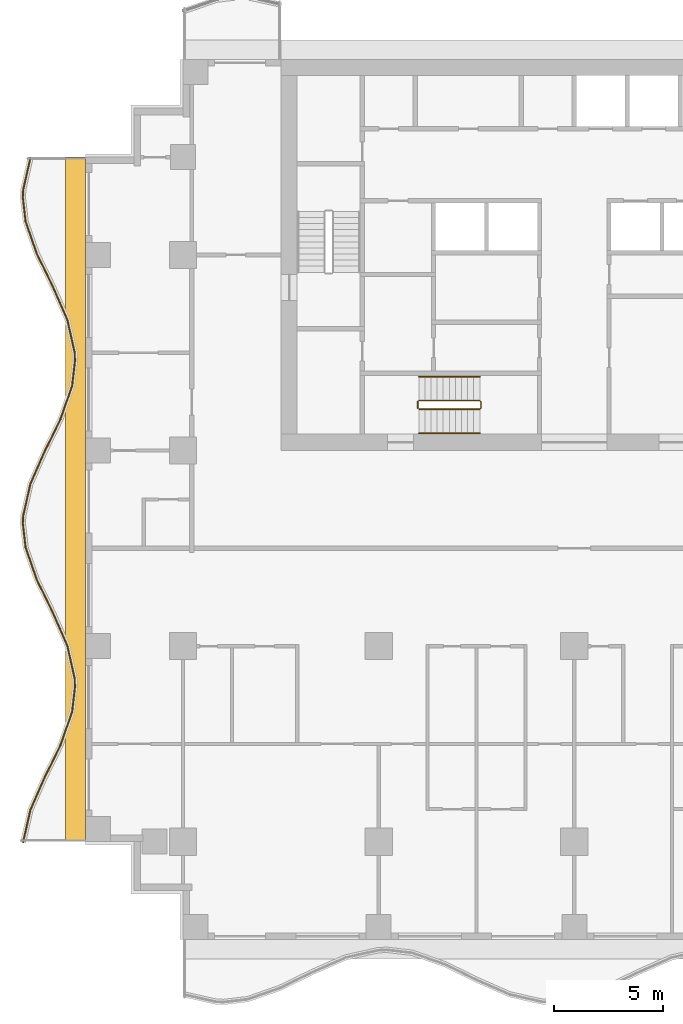
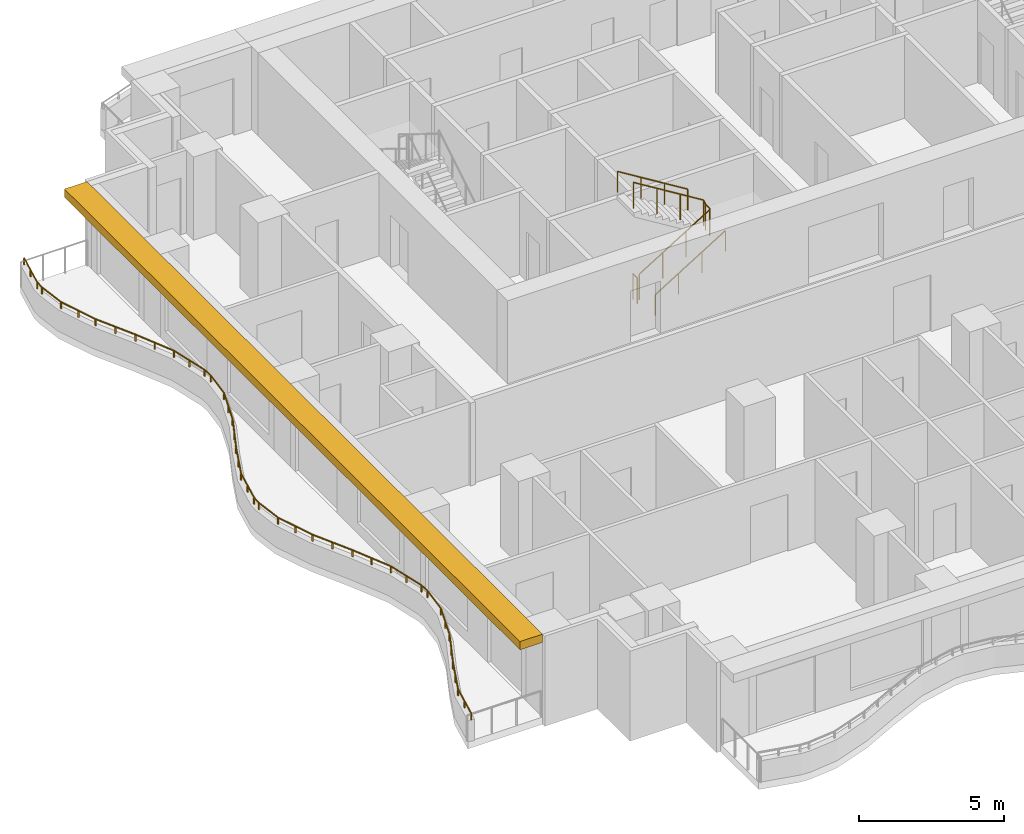
# One storey, part 8 of 10: 5 railings, 1 shading device.
"""IFC4 building model written with IfcOpenShell, lengths in metres."""

from ifc_helpers import new_model, si_unit, direction, frame, origin, origin_2d, place, context, subcontext, project, spatial, polyline, rectangle, circle, outline, extrude, material, layer, layer_set, type_object, element, save


model = new_model("IFC4")

# Units and contexts
model_context = context("Model", 3, precision=1e-05, world=origin(), true_north=direction((0.0, 1.0)))
body_context = subcontext(model_context, "Body", "Model", "MODEL_VIEW")
ifc_project = project(units=[si_unit("LENGTHUNIT", "METRE"), si_unit("AREAUNIT", "SQUARE_METRE"), si_unit("VOLUMEUNIT", "CUBIC_METRE"), si_unit("PLANEANGLEUNIT", "RADIAN"), si_unit("MASSUNIT", "GRAM", prefix="KILO")], contexts=[model_context])

# Site, building, storey
site_placement = place(None, origin())
site = spatial("IfcSite", under=ifc_project, at=site_placement, CompositionType="ELEMENT")
building_placement = place(site_placement, origin())
building = spatial("IfcBuilding", under=site, at=building_placement, Name="Orbiselva Terraces", CompositionType="ELEMENT")
storey_placement = place(building_placement, frame((0.0, 0.0, 147.8)))
storey = spatial("IfcBuildingStorey", under=building, at=storey_placement, Name="L37", CompositionType="ELEMENT", Elevation=147.8)

# Railings
ifc_material_1 = material(Name="Stainless steel", Category="steel")
railing_type_1 = type_object("IfcRailingType", Name="CORE-GUARD-1100", PredefinedType="GUARDRAIL", material=ifc_material_1)
railing_1_placement = place(storey_placement, frame((-7.15, 6.4, 0.172727)))
element("IfcRailing", 1, at=railing_1_placement, inside=storey, type_object=railing_type_1, Name="L37 S3 stair guard 1", PredefinedType="GUARDRAIL", context=body_context, shape_type="SweptSolid", body=[
    extrude(circle(Radius=0.024, at=origin_2d()), frame((0.0, 0.0, 1.081), z_axis=(0.851088519012, 0.0, 0.52502222125), x_axis=(0.0, 1.0, 0.0)), (0.0, 0.0, 1.0), 3.289905),
    extrude(circle(Radius=0.024, at=origin_2d()), frame((2.8, 0.0, 2.808273), z_axis=(0.707106781187, 0.707106781187, 0.0), x_axis=(-0.707106781187, 0.707106781187, 0.0)), (0.0, 0.0, 1.0), 0.070711),
    extrude(circle(Radius=0.024, at=origin_2d()), frame((2.85, 0.05, 2.808273), z_axis=(0.0, 1.0, 0.0), x_axis=(-1.0, 0.0, 0.0)), (0.0, 0.0, 1.0), 0.3),
    extrude(circle(Radius=0.024, at=origin_2d()), frame((2.85, 0.35, 2.808273), z_axis=(-0.267894925557, 0.267894925557, 0.925453736133), x_axis=(-0.707106781187, -0.707106781187, 0.0)), (0.0, 0.0, 1.0), 0.18664),
    extrude(circle(Radius=0.024, at=origin_2d()), frame((2.8, 0.4, 2.981), z_axis=(-0.851088519012, 0.0, 0.52502222125), x_axis=(0.0, -1.0, 0.0)), (0.0, 0.0, 1.0), 3.289905),
    extrude(circle(Radius=0.021, at=origin_2d()), origin(), (0.0, 0.0, 1.0), 1.057),
    extrude(circle(Radius=0.021, at=origin_2d()), frame((0.933333, 0.0, 0.575758)), (0.0, 0.0, 1.0), 1.057),
    extrude(circle(Radius=0.021, at=origin_2d()), frame((1.866667, 0.0, 1.151515)), (0.0, 0.0, 1.0), 1.057),
    extrude(circle(Radius=0.021, at=origin_2d()), frame((2.8, 0.0, 1.727273)), (0.0, 0.0, 1.0), 1.057),
    extrude(circle(Radius=0.021, at=origin_2d()), frame((2.85, 0.05, 1.727273)), (0.0, 0.0, 1.0), 1.057),
    extrude(circle(Radius=0.021, at=origin_2d()), frame((2.85, 0.35, 1.727273)), (0.0, 0.0, 1.0), 1.057),
    extrude(circle(Radius=0.021, at=origin_2d()), frame((2.8, 0.4, 1.9)), (0.0, 0.0, 1.0), 1.057),
    extrude(circle(Radius=0.021, at=origin_2d()), frame((1.866667, 0.4, 2.475758)), (0.0, 0.0, 1.0), 1.057),
    extrude(circle(Radius=0.021, at=origin_2d()), frame((0.933333, 0.4, 3.051515)), (0.0, 0.0, 1.0), 1.057),
    extrude(circle(Radius=0.021, at=origin_2d()), frame((0.0, 0.4, 3.627273)), (0.0, 0.0, 1.0), 1.057),
])
railing_2_placement = place(storey_placement, frame((-7.2, 6.45, 0.0)))
element("IfcRailing", 2, at=railing_2_placement, inside=storey, type_object=railing_type_1, Name="L37 S3 stair guard 2", PredefinedType="GUARDRAIL", context=body_context, shape_type="SweptSolid", body=[
    extrude(circle(Radius=0.024, at=origin_2d()), frame((0.0, 0.0, 1.081), z_axis=(0.0, 1.0, 0.0), x_axis=(-1.0, 0.0, 0.0)), (0.0, 0.0, 1.0), 0.3),
    extrude(circle(Radius=0.021, at=origin_2d()), origin(), (0.0, 0.0, 1.0), 1.057),
    extrude(circle(Radius=0.021, at=origin_2d()), frame((0.0, 0.3, 0.0)), (0.0, 0.0, 1.0), 1.057),
])
railing_type_2 = type_object("IfcRailingType", Name="CORE-HANDRAIL-900", PredefinedType="HANDRAIL", material=ifc_material_1)
railing_3_placement = place(storey_placement, frame((-7.15, 5.3, 0.172727)))
element("IfcRailing", 3, at=railing_3_placement, inside=storey, type_object=railing_type_2, Name="L37 S3 stair handrail 1", PredefinedType="HANDRAIL", context=body_context, shape_type="SweptSolid", body=[
    extrude(circle(Radius=0.024, at=origin_2d()), frame((0.0, 0.0, 0.876), z_axis=(0.851088519012, 0.0, 0.52502222125), x_axis=(0.0, 1.0, 0.0)), (0.0, 0.0, 1.0), 3.289905),
    extrude(circle(Radius=0.021, at=origin_2d()), origin(), (0.0, 0.0, 1.0), 0.852),
    extrude(circle(Radius=0.021, at=origin_2d()), frame((0.933333, 0.0, 0.575758)), (0.0, 0.0, 1.0), 0.852),
    extrude(circle(Radius=0.021, at=origin_2d()), frame((1.866667, 0.0, 1.151515)), (0.0, 0.0, 1.0), 0.852),
    extrude(circle(Radius=0.021, at=origin_2d()), frame((2.8, 0.0, 1.727273)), (0.0, 0.0, 1.0), 0.852),
])
railing_4_placement = place(storey_placement, frame((-4.35, 7.9, 2.072727)))
element("IfcRailing", 4, at=railing_4_placement, inside=storey, type_object=railing_type_2, Name="L37 S3 stair handrail 2", PredefinedType="HANDRAIL", context=body_context, shape_type="SweptSolid", body=[
    extrude(circle(Radius=0.024, at=origin_2d()), frame((0.0, 0.0, 0.876), z_axis=(-0.851088519012, 0.0, 0.52502222125), x_axis=(0.0, -1.0, 0.0)), (0.0, 0.0, 1.0), 3.289905),
    extrude(circle(Radius=0.021, at=origin_2d()), origin(), (0.0, 0.0, 1.0), 0.852),
    extrude(circle(Radius=0.021, at=origin_2d()), frame((-0.933333, 0.0, 0.575758)), (0.0, 0.0, 1.0), 0.852),
    extrude(circle(Radius=0.021, at=origin_2d()), frame((-1.866667, 0.0, 1.151515)), (0.0, 0.0, 1.0), 0.852),
    extrude(circle(Radius=0.021, at=origin_2d()), frame((-2.8, 0.0, 1.727273)), (0.0, 0.0, 1.0), 0.852),
])
ifc_material_2 = material(Name="Bonded two-ply safety glass balustrade, stainless steel posts", Category="steel")
railing_type_3 = type_object("IfcRailingType", Name="ENV-BALUSTRADE-1200", PredefinedType="BALUSTRADE", material=ifc_material_2)
railing_5_placement = place(storey_placement, frame((-25.026563, 17.972623, 0.9)))
element("IfcRailing", 5, at=railing_5_placement, inside=storey, type_object=railing_type_3, Name="Balcony balustrade L37 W", PredefinedType="BALUSTRADE", context=body_context, shape_type="SweptSolid", body=[
    extrude(outline(polyline([(0.028868, 0.0), (0.014434, 0.025), (-0.014434, 0.025), (-0.028868, 0.0), (-0.014434, -0.025), (0.014434, -0.025), (0.028868, 0.0)])), frame((0.0, 0.0, 0.275), z_axis=(-0.21901575501, -0.975721322437, 0.0), x_axis=(0.975721322437, -0.21901575501, 0.0)), (0.0, 0.0, 1.0), 1.525954),
    extrude(outline(polyline([(0.028868, 0.0), (0.014434, 0.025), (-0.014434, 0.025), (-0.028868, 0.0), (-0.014434, -0.025), (0.014434, -0.025), (0.028868, 0.0)])), frame((-0.334208, -1.488906, 0.275), z_axis=(-0.039364150694, -0.999224931454, 0.0), x_axis=(0.999224931454, -0.039364150694, 0.0)), (0.0, 0.0, 1.0), 0.354206),
    extrude(outline(polyline([(0.028868, 0.0), (0.014434, 0.025), (-0.014434, 0.025), (-0.028868, 0.0), (-0.014434, -0.025), (0.014434, -0.025), (0.028868, 0.0)])), frame((-0.348151, -1.842837, 0.275), z_axis=(0.115481264762, -0.993309658409, 0.0), x_axis=(0.993309658409, 0.115481264762, 0.0)), (0.0, 0.0, 1.0), 1.10902),
    extrude(outline(polyline([(0.028868, 0.0), (0.014434, 0.025), (-0.014434, 0.025), (-0.028868, 0.0), (-0.014434, -0.025), (0.014434, -0.025), (0.028868, 0.0)])), frame((-0.22008, -2.944437, 0.275), z_axis=(0.330024754707, -0.943972277814, 0.0), x_axis=(0.943972277814, 0.330024754707, 0.0)), (0.0, 0.0, 1.0), 1.567807),
    extrude(outline(polyline([(0.028868, 0.0), (0.014434, 0.025), (-0.014434, 0.025), (-0.028868, 0.0), (-0.014434, -0.025), (0.014434, -0.025), (0.028868, 0.0)])), frame((0.297335, -4.424403, 0.275), z_axis=(0.438811978768, -0.89857890432, 0.0), x_axis=(0.89857890432, 0.438811978768, 0.0)), (0.0, 0.0, 1.0), 1.66438),
    extrude(outline(polyline([(0.028868, 0.0), (0.014434, 0.025), (-0.014434, 0.025), (-0.028868, 0.0), (-0.014434, -0.025), (0.014434, -0.025), (0.028868, 0.0)])), frame((1.027685, -5.91998, 0.275), z_axis=(0.403150874148, -0.915133527237, 0.0), x_axis=(0.915133527237, 0.403150874148, 0.0)), (0.0, 0.0, 1.0), 1.653736),
    extrude(outline(polyline([(0.028868, 0.0), (0.014434, 0.025), (-0.014434, 0.025), (-0.028868, 0.0), (-0.014434, -0.025), (0.014434, -0.025), (0.028868, 0.0)])), frame((1.69439, -7.433369, 0.275), z_axis=(0.219015500924, -0.97572137947, 0.0), x_axis=(0.97572137947, 0.219015500924, 0.0)), (0.0, 0.0, 1.0), 1.560867),
    extrude(outline(polyline([(0.028868, 0.0), (0.014434, 0.025), (-0.014434, 0.025), (-0.028868, 0.0), (-0.014434, -0.025), (0.014434, -0.025), (0.028868, 0.0)])), frame((2.036244, -8.95634, 0.275), z_axis=(0.03936915532, -0.999224734286, 0.0), x_axis=(0.999224734286, 0.03936915532, 0.0)), (0.0, 0.0, 1.0), 0.396376),
    extrude(outline(polyline([(0.028868, 0.0), (0.014434, 0.025), (-0.014434, 0.025), (-0.028868, 0.0), (-0.014434, -0.025), (0.014434, -0.025), (0.028868, 0.0)])), frame((2.051849, -9.352409, 0.275), z_axis=(-0.115482182324, -0.993309551734, 0.0), x_axis=(0.993309551734, -0.115482182324, 0.0)), (0.0, 0.0, 1.0), 1.156135),
    extrude(outline(polyline([(0.028868, 0.0), (0.014434, 0.025), (-0.014434, 0.025), (-0.028868, 0.0), (-0.014434, -0.025), (0.014434, -0.025), (0.028868, 0.0)])), frame((1.918336, -10.500809, 0.275), z_axis=(-0.330024597479, -0.943972332783, 0.0), x_axis=(0.943972332783, -0.330024597479, 0.0)), (0.0, 0.0, 1.0), 1.610253),
    extrude(outline(polyline([(0.028868, 0.0), (0.014434, 0.025), (-0.014434, 0.025), (-0.028868, 0.0), (-0.014434, -0.025), (0.014434, -0.025), (0.028868, 0.0)])), frame((1.386913, -12.020843, 0.275), z_axis=(-0.438812048596, -0.898578870221, 0.0), x_axis=(0.898578870221, -0.438812048596, 0.0)), (0.0, 0.0, 1.0), 1.674225),
    extrude(outline(polyline([(0.028868, 0.0), (0.014434, 0.025), (-0.014434, 0.025), (-0.028868, 0.0), (-0.014434, -0.025), (0.014434, -0.025), (0.028868, 0.0)])), frame((0.652243, -13.525266, 0.275), z_axis=(-0.403151245402, -0.915133363686, 0.0), x_axis=(0.915133363686, -0.403151245402, 0.0)), (0.0, 0.0, 1.0), 1.624475),
    extrude(outline(polyline([(0.028868, 0.0), (0.014434, 0.025), (-0.014434, 0.025), (-0.028868, 0.0), (-0.014434, -0.025), (0.014434, -0.025), (0.028868, 0.0)])), frame((-0.002666, -15.011877, 0.275), z_axis=(-0.219015740235, -0.975721325753, 0.0), x_axis=(0.975721325753, -0.219015740235, 0.0)), (0.0, 0.0, 1.0), 1.513782),
    extrude(outline(polyline([(0.028868, 0.0), (0.014434, 0.025), (-0.014434, 0.025), (-0.028868, 0.0), (-0.014434, -0.025), (0.014434, -0.025), (0.028868, 0.0)])), frame((-0.334208, -16.488906, 0.275), z_axis=(-0.039364150694, -0.999224931454, 0.0), x_axis=(0.999224931454, -0.039364150694, 0.0)), (0.0, 0.0, 1.0), 0.354206),
    extrude(outline(polyline([(0.028868, 0.0), (0.014434, 0.025), (-0.014434, 0.025), (-0.028868, 0.0), (-0.014434, -0.025), (0.014434, -0.025), (0.028868, 0.0)])), frame((-0.348151, -16.842837, 0.275), z_axis=(0.115481264762, -0.993309658409, 0.0), x_axis=(0.993309658409, 0.115481264762, 0.0)), (0.0, 0.0, 1.0), 1.10902),
    extrude(outline(polyline([(0.028868, 0.0), (0.014434, 0.025), (-0.014434, 0.025), (-0.028868, 0.0), (-0.014434, -0.025), (0.014434, -0.025), (0.028868, 0.0)])), frame((-0.22008, -17.944437, 0.275), z_axis=(0.330024754707, -0.943972277814, 0.0), x_axis=(0.943972277814, 0.330024754707, 0.0)), (0.0, 0.0, 1.0), 1.567807),
    extrude(outline(polyline([(0.028868, 0.0), (0.014434, 0.025), (-0.014434, 0.025), (-0.028868, 0.0), (-0.014434, -0.025), (0.014434, -0.025), (0.028868, 0.0)])), frame((0.297335, -19.424403, 0.275), z_axis=(0.438811978768, -0.89857890432, 0.0), x_axis=(0.89857890432, 0.438811978768, 0.0)), (0.0, 0.0, 1.0), 1.66438),
    extrude(outline(polyline([(0.028868, 0.0), (0.014434, 0.025), (-0.014434, 0.025), (-0.028868, 0.0), (-0.014434, -0.025), (0.014434, -0.025), (0.028868, 0.0)])), frame((1.027685, -20.91998, 0.275), z_axis=(0.403150874148, -0.915133527237, 0.0), x_axis=(0.915133527237, 0.403150874148, 0.0)), (0.0, 0.0, 1.0), 1.653736),
    extrude(outline(polyline([(0.028868, 0.0), (0.014434, 0.025), (-0.014434, 0.025), (-0.028868, 0.0), (-0.014434, -0.025), (0.014434, -0.025), (0.028868, 0.0)])), frame((1.69439, -22.433369, 0.275), z_axis=(0.219015500924, -0.97572137947, 0.0), x_axis=(0.97572137947, 0.219015500924, 0.0)), (0.0, 0.0, 1.0), 1.560867),
    extrude(outline(polyline([(0.028868, 0.0), (0.014434, 0.025), (-0.014434, 0.025), (-0.028868, 0.0), (-0.014434, -0.025), (0.014434, -0.025), (0.028868, 0.0)])), frame((2.036244, -23.95634, 0.275), z_axis=(0.03936915532, -0.999224734286, 0.0), x_axis=(0.999224734286, 0.03936915532, 0.0)), (0.0, 0.0, 1.0), 0.396376),
    extrude(outline(polyline([(0.028868, 0.0), (0.014434, 0.025), (-0.014434, 0.025), (-0.028868, 0.0), (-0.014434, -0.025), (0.014434, -0.025), (0.028868, 0.0)])), frame((2.051849, -24.352409, 0.275), z_axis=(-0.115482182324, -0.993309551734, 0.0), x_axis=(0.993309551734, -0.115482182324, 0.0)), (0.0, 0.0, 1.0), 1.156135),
    extrude(outline(polyline([(0.028868, 0.0), (0.014434, 0.025), (-0.014434, 0.025), (-0.028868, 0.0), (-0.014434, -0.025), (0.014434, -0.025), (0.028868, 0.0)])), frame((1.918336, -25.500809, 0.275), z_axis=(-0.330024597479, -0.943972332783, 0.0), x_axis=(0.943972332783, -0.330024597479, 0.0)), (0.0, 0.0, 1.0), 1.610253),
    extrude(outline(polyline([(0.028868, 0.0), (0.014434, 0.025), (-0.014434, 0.025), (-0.028868, 0.0), (-0.014434, -0.025), (0.014434, -0.025), (0.028868, 0.0)])), frame((1.386913, -27.020843, 0.275), z_axis=(-0.438812048596, -0.898578870221, 0.0), x_axis=(0.898578870221, -0.438812048596, 0.0)), (0.0, 0.0, 1.0), 1.674225),
    extrude(outline(polyline([(0.028868, 0.0), (0.014434, 0.025), (-0.014434, 0.025), (-0.028868, 0.0), (-0.014434, -0.025), (0.014434, -0.025), (0.028868, 0.0)])), frame((0.652243, -28.525266, 0.275), z_axis=(-0.403151245402, -0.915133363686, 0.0), x_axis=(0.915133363686, -0.403151245402, 0.0)), (0.0, 0.0, 1.0), 1.624475),
    extrude(outline(polyline([(0.028868, 0.0), (0.014434, 0.025), (-0.014434, 0.025), (-0.028868, 0.0), (-0.014434, -0.025), (0.014434, -0.025), (0.028868, 0.0)])), frame((-0.002666, -30.011877, 0.275), z_axis=(-0.219015602994, -0.975721356559, 0.0), x_axis=(0.975721356559, -0.219015602994, 0.0)), (0.0, 0.0, 1.0), 1.525152),
    extrude(rectangle(XDim=0.05, YDim=0.05, at=origin_2d()), origin(), (0.0, 0.0, 1.0), 0.25),
    extrude(rectangle(XDim=0.05, YDim=0.05, at=origin_2d()), frame((-0.167104, -0.744453, 0.0)), (0.0, 0.0, 1.0), 0.25),
    extrude(rectangle(XDim=0.05, YDim=0.05, at=origin_2d()), frame((-0.334208, -1.488906, 0.0)), (0.0, 0.0, 1.0), 0.25),
    extrude(rectangle(XDim=0.05, YDim=0.05, at=origin_2d()), frame((-0.348151, -1.842837, 0.0)), (0.0, 0.0, 1.0), 0.25),
    extrude(rectangle(XDim=0.05, YDim=0.05, at=origin_2d()), frame((-0.22008, -2.944437, 0.0)), (0.0, 0.0, 1.0), 0.25),
    extrude(rectangle(XDim=0.05, YDim=0.05, at=origin_2d()), frame((0.038628, -3.68442, 0.0)), (0.0, 0.0, 1.0), 0.25),
    extrude(rectangle(XDim=0.05, YDim=0.05, at=origin_2d()), frame((0.297335, -4.424403, 0.0)), (0.0, 0.0, 1.0), 0.25),
    extrude(rectangle(XDim=0.05, YDim=0.05, at=origin_2d()), frame((0.66251, -5.172191, 0.0)), (0.0, 0.0, 1.0), 0.25),
    extrude(rectangle(XDim=0.05, YDim=0.05, at=origin_2d()), frame((1.027685, -5.91998, 0.0)), (0.0, 0.0, 1.0), 0.25),
    extrude(rectangle(XDim=0.05, YDim=0.05, at=origin_2d()), frame((1.361037, -6.676674, 0.0)), (0.0, 0.0, 1.0), 0.25),
    extrude(rectangle(XDim=0.05, YDim=0.05, at=origin_2d()), frame((1.69439, -7.433369, 0.0)), (0.0, 0.0, 1.0), 0.25),
    extrude(rectangle(XDim=0.05, YDim=0.05, at=origin_2d()), frame((1.865317, -8.194854, 0.0)), (0.0, 0.0, 1.0), 0.25),
    extrude(rectangle(XDim=0.05, YDim=0.05, at=origin_2d()), frame((2.036244, -8.95634, 0.0)), (0.0, 0.0, 1.0), 0.25),
    extrude(rectangle(XDim=0.05, YDim=0.05, at=origin_2d()), frame((2.051849, -9.352409, 0.0)), (0.0, 0.0, 1.0), 0.25),
    extrude(rectangle(XDim=0.05, YDim=0.05, at=origin_2d()), frame((1.918336, -10.500809, 0.0)), (0.0, 0.0, 1.0), 0.25),
    extrude(rectangle(XDim=0.05, YDim=0.05, at=origin_2d()), frame((1.652624, -11.260826, 0.0)), (0.0, 0.0, 1.0), 0.25),
    extrude(rectangle(XDim=0.05, YDim=0.05, at=origin_2d()), frame((1.386913, -12.020843, 0.0)), (0.0, 0.0, 1.0), 0.25),
    extrude(rectangle(XDim=0.05, YDim=0.05, at=origin_2d()), frame((1.019578, -12.773054, 0.0)), (0.0, 0.0, 1.0), 0.25),
    extrude(rectangle(XDim=0.05, YDim=0.05, at=origin_2d()), frame((0.652243, -13.525266, 0.0)), (0.0, 0.0, 1.0), 0.25),
    extrude(rectangle(XDim=0.05, YDim=0.05, at=origin_2d()), frame((0.324788, -14.268571, 0.0)), (0.0, 0.0, 1.0), 0.25),
    extrude(rectangle(XDim=0.05, YDim=0.05, at=origin_2d()), frame((-0.002666, -15.011877, 0.0)), (0.0, 0.0, 1.0), 0.25),
    extrude(rectangle(XDim=0.05, YDim=0.05, at=origin_2d()), frame((-0.168437, -15.750392, 0.0)), (0.0, 0.0, 1.0), 0.25),
    extrude(rectangle(XDim=0.05, YDim=0.05, at=origin_2d()), frame((-0.334208, -16.488906, 0.0)), (0.0, 0.0, 1.0), 0.25),
    extrude(rectangle(XDim=0.05, YDim=0.05, at=origin_2d()), frame((-0.348151, -16.842837, 0.0)), (0.0, 0.0, 1.0), 0.25),
    extrude(rectangle(XDim=0.05, YDim=0.05, at=origin_2d()), frame((-0.22008, -17.944437, 0.0)), (0.0, 0.0, 1.0), 0.25),
    extrude(rectangle(XDim=0.05, YDim=0.05, at=origin_2d()), frame((0.038628, -18.68442, 0.0)), (0.0, 0.0, 1.0), 0.25),
    extrude(rectangle(XDim=0.05, YDim=0.05, at=origin_2d()), frame((0.297335, -19.424403, 0.0)), (0.0, 0.0, 1.0), 0.25),
    extrude(rectangle(XDim=0.05, YDim=0.05, at=origin_2d()), frame((0.66251, -20.172191, 0.0)), (0.0, 0.0, 1.0), 0.25),
    extrude(rectangle(XDim=0.05, YDim=0.05, at=origin_2d()), frame((1.027685, -20.91998, 0.0)), (0.0, 0.0, 1.0), 0.25),
    extrude(rectangle(XDim=0.05, YDim=0.05, at=origin_2d()), frame((1.361037, -21.676674, 0.0)), (0.0, 0.0, 1.0), 0.25),
    extrude(rectangle(XDim=0.05, YDim=0.05, at=origin_2d()), frame((1.69439, -22.433369, 0.0)), (0.0, 0.0, 1.0), 0.25),
    extrude(rectangle(XDim=0.05, YDim=0.05, at=origin_2d()), frame((1.865317, -23.194854, 0.0)), (0.0, 0.0, 1.0), 0.25),
    extrude(rectangle(XDim=0.05, YDim=0.05, at=origin_2d()), frame((2.036244, -23.95634, 0.0)), (0.0, 0.0, 1.0), 0.25),
    extrude(rectangle(XDim=0.05, YDim=0.05, at=origin_2d()), frame((2.051849, -24.352409, 0.0)), (0.0, 0.0, 1.0), 0.25),
    extrude(rectangle(XDim=0.05, YDim=0.05, at=origin_2d()), frame((1.918336, -25.500809, 0.0)), (0.0, 0.0, 1.0), 0.25),
    extrude(rectangle(XDim=0.05, YDim=0.05, at=origin_2d()), frame((1.652624, -26.260826, 0.0)), (0.0, 0.0, 1.0), 0.25),
    extrude(rectangle(XDim=0.05, YDim=0.05, at=origin_2d()), frame((1.386913, -27.020843, 0.0)), (0.0, 0.0, 1.0), 0.25),
    extrude(rectangle(XDim=0.05, YDim=0.05, at=origin_2d()), frame((1.019578, -27.773054, 0.0)), (0.0, 0.0, 1.0), 0.25),
    extrude(rectangle(XDim=0.05, YDim=0.05, at=origin_2d()), frame((0.652243, -28.525266, 0.0)), (0.0, 0.0, 1.0), 0.25),
    extrude(rectangle(XDim=0.05, YDim=0.05, at=origin_2d()), frame((0.324788, -29.268572, 0.0)), (0.0, 0.0, 1.0), 0.25),
    extrude(rectangle(XDim=0.05, YDim=0.05, at=origin_2d()), frame((-0.002666, -30.011877, 0.0)), (0.0, 0.0, 1.0), 0.25),
    extrude(rectangle(XDim=0.05, YDim=0.05, at=origin_2d()), frame((-0.169682, -30.755938, 0.0)), (0.0, 0.0, 1.0), 0.25),
    extrude(rectangle(XDim=0.05, YDim=0.05, at=origin_2d()), frame((-0.336698, -31.5, 0.0)), (0.0, 0.0, 1.0), 0.25),
])

# Shading device
ifc_material_3 = material(Name="Terracotta baguette sunshade", Category="masonry")
ifc_layer = layer(ifc_material_3, 0.35)
ifc_layer_set = layer_set([ifc_layer], Name="Terracotta baguette sunshade")
shading_device_type = type_object("IfcShadingDeviceType", Name="ENV-SUNSHADE-900x350", PredefinedType="USERDEFINED", material=ifc_layer_set)
shading_device_placement = place(storey_placement, frame((0.0, 0.0, 3.15)))
element("IfcShadingDevice", 6, at=shading_device_placement, inside=storey, type_object=shading_device_type, Name="Sunshade band L37 W", ObjectType="SUNSHADE", PredefinedType="USERDEFINED", context=body_context, shape_type="SweptSolid", body=[
    extrude(outline(polyline([(-23.4, 18.0), (-23.4, -13.5), (-22.5, -13.5), (-22.5, 18.0), (-23.4, 18.0)])), origin(), (0.0, 0.0, 1.0), 0.35),
])

save(model, "model.ifc")
